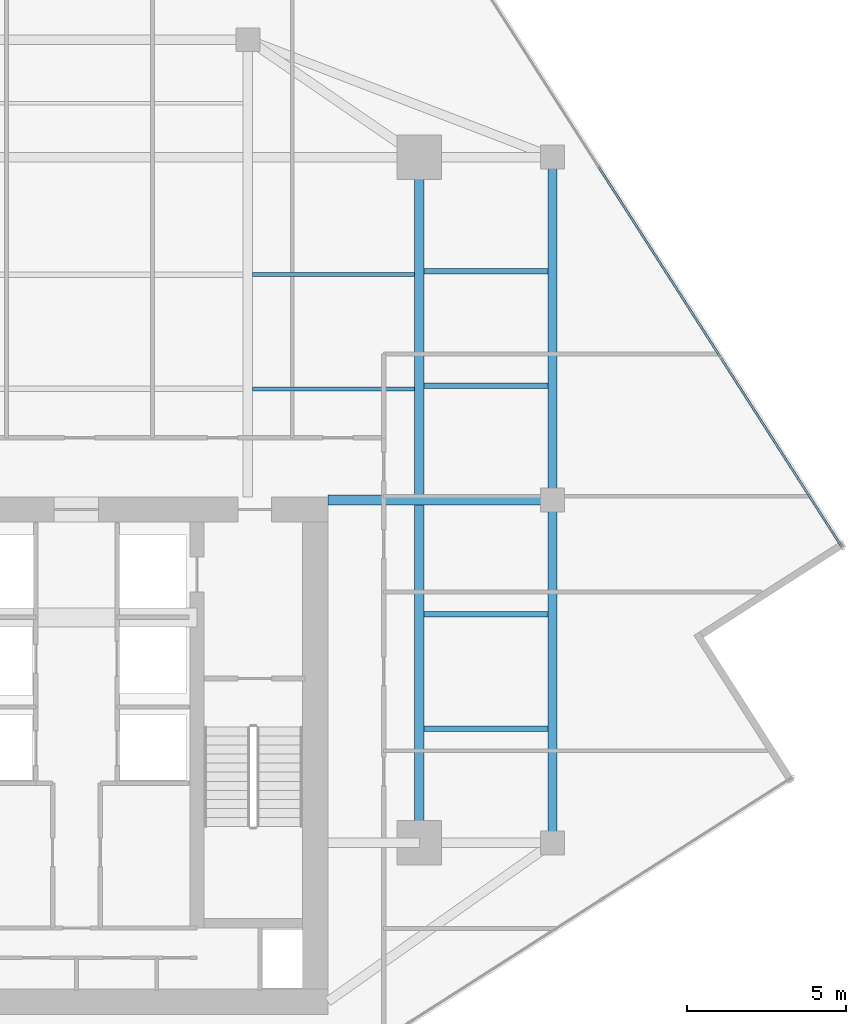
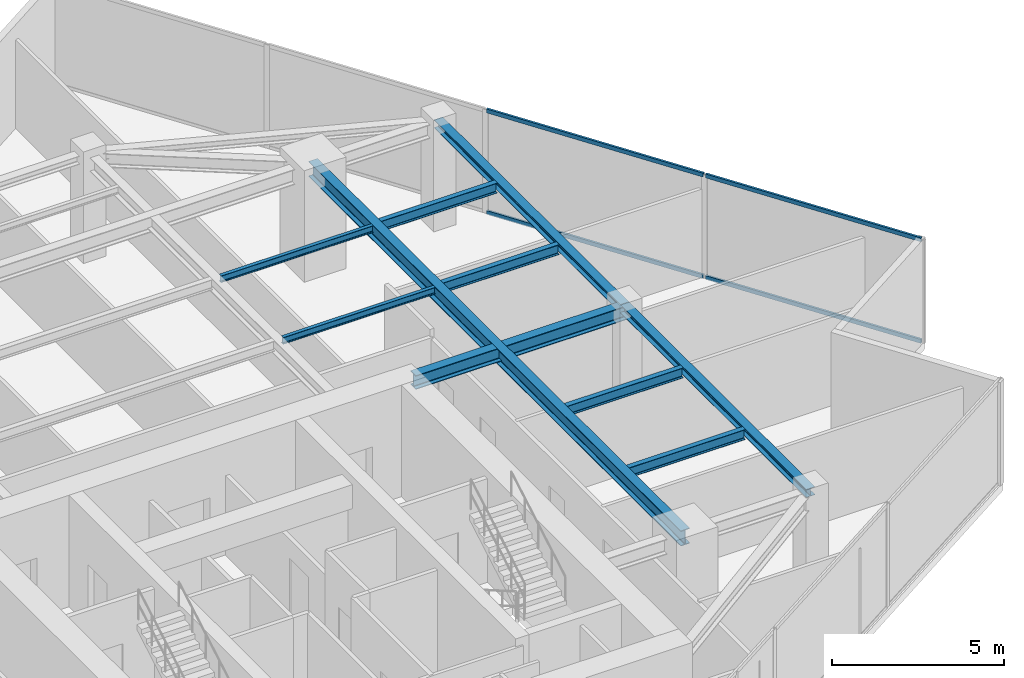
# One storey, part 9 of 20: 10 beams, 4 members, 1 element without a shape of its own.
"""IFC4 building model written with IfcOpenShell, lengths in metres."""

from ifc_helpers import new_model, si_unit, direction, frame, origin, origin_2d, place, context, subcontext, project, spatial, hollow_rectangle, i_section, extrude, source, transform, mapped, material, material_profile, profile_set, type_object, type_shapes, element, aggregate, save


model = new_model("IFC4")

# Units and contexts
model_context = context("Model", 3, precision=1e-05, world=origin(), true_north=direction((0.0, 1.0)))
body_context = subcontext(model_context, "Body", "Model", "MODEL_VIEW")
ifc_project = project(units=[si_unit("LENGTHUNIT", "METRE"), si_unit("AREAUNIT", "SQUARE_METRE"), si_unit("VOLUMEUNIT", "CUBIC_METRE"), si_unit("PLANEANGLEUNIT", "RADIAN"), si_unit("MASSUNIT", "GRAM", prefix="KILO")], contexts=[model_context])

# Site, building, storey
site_placement = place(None, origin())
site = spatial("IfcSite", under=ifc_project, at=site_placement, CompositionType="ELEMENT")
building_placement = place(site_placement, origin())
building = spatial("IfcBuilding", under=site, at=building_placement, Name="Krantzveldt Concourse Tower", CompositionType="ELEMENT")
storey_placement = place(building_placement, frame((0.0, 0.0, 287.14990234375)))
storey = spatial("IfcBuildingStorey", under=building, at=storey_placement, Name="L70", CompositionType="ELEMENT", Elevation=287.14990234375)

# Beams
ifc_material_1 = material(Name="Steel S355JR", Category="steel")
ifc_material_profile_1 = material_profile(ifc_material_1, i_section(OverallWidth=0.300048828125, OverallDepth=0.489990234375, WebThickness=0.011962890625, FlangeThickness=0.02294921875, FilletRadius=0.027099609375, at=origin_2d()), Name="Steel S355JR", Category="steel")
ifc_profile_set_1 = profile_set([ifc_material_profile_1], Name="Steel S355JR - HEA 500")
beam_type_1 = type_object("IfcBeamType", Name="BM-B-HEA500", PredefinedType="BEAM", material=ifc_profile_set_1)
shared_shape_1 = source(origin(), body_context, "Body", "SweptSolid", [
    extrude(i_section(OverallWidth=0.300048828125, OverallDepth=0.489990234375, WebThickness=0.011962890625, FlangeThickness=0.02294921875, FilletRadius=0.027099609375, at=origin_2d()), origin(), (0.0, 0.0, 1.0), 7.080078125),
])
type_shapes(beam_type_1, [shared_shape_1])
beam_1_placement = place(storey_placement, frame((43.919921875, 26.699951171875, 3.425048828125), z_axis=(1.0, 0.0, 0.0), x_axis=(0.0, 1.0, 0.0)))
element("IfcBeam", 1, at=beam_1_placement, inside=storey, type_object=beam_type_1, Name="L70 Tower Girder BG-CE2", PredefinedType="BEAM", context=body_context, shape_type="MappedRepresentation", body=[
    mapped(shared_shape_1, transform((0.0, 0.0, 0.0), x_axis=(1.0, 0.0, 0.0), y_axis=(0.0, 1.0, 0.0), z_axis=(0.0, 0.0, 1.0), scale=1.0)),
])
ifc_material_profile_2 = material_profile(ifc_material_1, i_section(OverallWidth=0.300048828125, OverallDepth=0.5400390625, WebThickness=0.012451171875, FlangeThickness=0.02392578125, FilletRadius=0.027099609375, at=origin_2d()), Name="Steel S355JR", Category="steel")
ifc_profile_set_2 = profile_set([ifc_material_profile_2], Name="Steel S355JR - HEA 550")
beam_type_2 = type_object("IfcBeamType", Name="BM-B-HEA550", PredefinedType="BEAM", material=ifc_profile_set_2)
shared_shape_2 = source(origin(), body_context, "Body", "SweptSolid", [
    extrude(i_section(OverallWidth=0.300048828125, OverallDepth=0.5400390625, WebThickness=0.012451171875, FlangeThickness=0.02392578125, FilletRadius=0.027099609375, at=origin_2d()), origin(), (0.0, 0.0, 1.0), 21.60009765625),
])
type_shapes(beam_type_2, [shared_shape_2])
beam_2_placement = place(storey_placement, frame((46.800048828125, 15.89990234375, 3.400146484375), z_axis=(0.0, 1.0, 0.0), x_axis=(-1.0, 0.0, 0.0)))
element("IfcBeam", 2, at=beam_2_placement, inside=storey, type_object=beam_type_2, Name="L70 Tower Girder BG-ME", PredefinedType="BEAM", context=body_context, shape_type="MappedRepresentation", body=[
    mapped(shared_shape_2, transform((0.0, 0.0, 0.0), x_axis=(1.0, 0.0, 0.0), y_axis=(0.0, 1.0, 0.0), z_axis=(0.0, 0.0, 1.0), scale=1.0)),
])
ifc_material_profile_3 = material_profile(ifc_material_1, i_section(OverallWidth=0.2900390625, OverallDepth=0.2900390625, WebThickness=0.008544921875, FlangeThickness=0.013916015625, FilletRadius=0.027099609375, at=origin_2d()), Name="Steel S355JR", Category="steel")
ifc_profile_set_3 = profile_set([ifc_material_profile_3], Name="Steel S355JR - HEA 300")
beam_type_3 = type_object("IfcBeamType", Name="BM-SP-HEA300", PredefinedType="SPANDREL", material=ifc_profile_set_3)
shared_shape_3 = source(origin(), body_context, "Body", "SweptSolid", [
    extrude(i_section(OverallWidth=0.2900390625, OverallDepth=0.2900390625, WebThickness=0.008544921875, FlangeThickness=0.013916015625, FilletRadius=0.027099609375, at=origin_2d()), origin(), (0.0, 0.0, 1.0), 10.800048828125),
])
type_shapes(beam_type_3, [shared_shape_3])
for number, where, z_axis, x_axis, name in (
    (3, (51.0, 37.5, 3.525146484375), (0.0, -1.0, 0.0), (1.0, 0.0, 0.0), "L70 Tower Girder SP-R06"),
    (4, (51.0, 26.699951171875, 3.525146484375), (0.0, -1.0, 0.0), (1.0, 0.0, 0.0), "L70 Tower Girder SP-R07"),
):
    element("IfcBeam", number, at=place(storey_placement, frame(where, z_axis=z_axis, x_axis=x_axis)), inside=storey, type_object=beam_type_3, Name=name, PredefinedType="SPANDREL", context=body_context, shape_type="MappedRepresentation", body=[
        mapped(shared_shape_3, transform((0.0, 0.0, 0.0), x_axis=(1.0, 0.0, 0.0), y_axis=(0.0, 1.0, 0.0), z_axis=(0.0, 0.0, 1.0), scale=1.0)),
    ])
ifc_material_profile_4 = material_profile(ifc_material_1, i_section(OverallWidth=0.1201171875, OverallDepth=0.239990234375, WebThickness=0.006103515625, FlangeThickness=0.009765625, FilletRadius=0.014892578125, at=origin_2d()), Name="Steel S355JR", Category="steel")
ifc_profile_set_4 = profile_set([ifc_material_profile_4], Name="Steel S355JR - IPE 240")
beam_type_4 = type_object("IfcBeamType", Name="BM-LN-IPE240", PredefinedType="LINTEL", material=ifc_profile_set_4)
shared_shape_4 = source(origin(), body_context, "Body", "SweptSolid", [
    extrude(i_section(OverallWidth=0.1201171875, OverallDepth=0.239990234375, WebThickness=0.006103515625, FlangeThickness=0.009765625, FilletRadius=0.014892578125, at=origin_2d()), origin(), (0.0, 0.0, 1.0), 5.099853515625),
])
type_shapes(beam_type_4, [shared_shape_4])
for number, where, z_axis, x_axis, name in (
    (5, (41.550048828125, 30.199951171875, 3.550048828125), (1.0, 0.0, 0.0), (0.0, 1.0, 0.0), "L70 Secondary Floor Joist JN-E1"),
    (6, (41.550048828125, 33.800048828125, 3.550048828125), (1.0, 0.0, 0.0), (0.0, 1.0, 0.0), "L70 Secondary Floor Joist JN-E2"),
):
    element("IfcBeam", number, at=place(storey_placement, frame(where, z_axis=z_axis, x_axis=x_axis)), inside=storey, type_object=beam_type_4, Name=name, PredefinedType="LINTEL", context=body_context, shape_type="MappedRepresentation", body=[
        mapped(shared_shape_4, transform((0.0, 0.0, 0.0), x_axis=(1.0, 0.0, 0.0), y_axis=(0.0, 1.0, 0.0), z_axis=(0.0, 0.0, 1.0), scale=1.0)),
    ])
ifc_material_profile_5 = material_profile(ifc_material_1, i_section(OverallWidth=0.169921875, OverallDepth=0.360107421875, WebThickness=0.008056640625, FlangeThickness=0.0126953125, FilletRadius=0.01806640625, at=origin_2d()), Name="Steel S355JR", Category="steel")
ifc_profile_set_5 = profile_set([ifc_material_profile_5], Name="Steel S355JR - IPE 360")
beam_type_5 = type_object("IfcBeamType", Name="BM-J-IPE360", PredefinedType="JOIST", material=ifc_profile_set_5)
shared_shape_5 = source(origin(), body_context, "Body", "SweptSolid", [
    extrude(i_section(OverallWidth=0.169921875, OverallDepth=0.360107421875, WebThickness=0.008056640625, FlangeThickness=0.0126953125, FilletRadius=0.01806640625, at=origin_2d()), origin(), (0.0, 0.0, 1.0), 3.900146484375),
])
type_shapes(beam_type_5, [shared_shape_5])
for number, where, z_axis, x_axis, name in (
    (7, (46.949951171875, 19.5, 3.489990234375), (1.0, 0.0, 0.0), (0.0, 1.0, 0.0), "L70 Secondary Floor Joist JE-1"),
    (8, (46.949951171875, 23.10009765625, 3.489990234375), (1.0, 0.0, 0.0), (0.0, 1.0, 0.0), "L70 Secondary Floor Joist JE-2"),
    (9, (46.949951171875, 30.300048828125, 3.489990234375), (1.0, 0.0, 0.0), (0.0, 1.0, 0.0), "L70 Secondary Floor Joist JE-3"),
    (10, (46.949951171875, 33.89990234375, 3.489990234375), (1.0, 0.0, 0.0), (0.0, 1.0, 0.0), "L70 Secondary Floor Joist JE-4"),
):
    element("IfcBeam", number, at=place(storey_placement, frame(where, z_axis=z_axis, x_axis=x_axis)), inside=storey, type_object=beam_type_5, Name=name, PredefinedType="JOIST", context=body_context, shape_type="MappedRepresentation", body=[
        mapped(shared_shape_5, transform((0.0, 0.0, 0.0), x_axis=(1.0, 0.0, 0.0), y_axis=(0.0, 1.0, 0.0), z_axis=(0.0, 0.0, 1.0), scale=1.0)),
    ])

# Curtain wall, members
ifc_material_2 = material(Name="Anodised aluminium 6063-T6", Category="aluminium")
curtain_wall_type = type_object("IfcCurtainWallType", Name="CW4", PredefinedType="USERDEFINED", material=ifc_material_2)
curtain_wall_placement = place(storey_placement, origin())
curtain_wall = element("IfcCurtainWall", 11, at=curtain_wall_placement, inside=storey, type_object=curtain_wall_type, Name="CW-L70-F10", ObjectType="UNITISED CURTAIN WALL", PredefinedType="USERDEFINED")
ifc_material_profile_6 = material_profile(ifc_material_2, hollow_rectangle(XDim=0.070068359375, YDim=0.139892578125, WallThickness=0.0048828125, at=origin_2d()), Name="Anodised aluminium 6063-T6", Category="aluminium")
ifc_profile_set_6 = profile_set([ifc_material_profile_6], Name="Anodised aluminium 6063-T6 - ALU-TRAN 140x70x5")
member_type = type_object("IfcMemberType", Name="CW-TRN-150", PredefinedType="USERDEFINED", material=ifc_profile_set_6)
shared_shape_6 = source(origin(), body_context, "Body", "SweptSolid", [
    extrude(hollow_rectangle(XDim=0.070068359375, YDim=0.139892578125, WallThickness=0.0048828125, at=origin_2d()), origin(), (0.0, 0.0, 1.0), 7.044921875),
])
member_1_placement = place(storey_placement, frame((60.103515625, 25.23388671875, 0.03515625), z_axis=(-0.539129416232, 0.842222935186, 0.0), x_axis=(-0.842222935186, -0.539129416232, 0.0)))
member_1 = element("IfcMember", 12, at=member_1_placement, type_object=member_type, Name="CW-Z56 transom 1.1", ObjectType="TRANSOM", PredefinedType="USERDEFINED", context=body_context, shape_type="MappedRepresentation", body=[
    mapped(shared_shape_6, transform((0.0, 0.0, 0.0), x_axis=(1.0, 0.0, 0.0), y_axis=(0.0, 1.0, 0.0), z_axis=(0.0, 0.0, 1.0), scale=1.0)),
])
member_2_placement = place(storey_placement, frame((60.103515625, 25.23388671875, 3.635009765625), z_axis=(-0.539129416232, 0.842222935186, 0.0), x_axis=(-0.842222935186, -0.539129416232, 0.0)))
member_2 = element("IfcMember", 13, at=member_2_placement, type_object=member_type, Name="CW-Z56 transom 1.2", ObjectType="TRANSOM", PredefinedType="USERDEFINED", context=body_context, shape_type="MappedRepresentation", body=[
    mapped(shared_shape_6, transform((0.0, 0.0, 0.0), x_axis=(1.0, 0.0, 0.0), y_axis=(0.0, 1.0, 0.0), z_axis=(0.0, 0.0, 1.0), scale=1.0)),
])
shared_shape_7 = source(origin(), body_context, "Body", "SweptSolid", [
    extrude(hollow_rectangle(XDim=0.070068359375, YDim=0.139892578125, WallThickness=0.0048828125, at=origin_2d()), origin(), (0.0, 0.0, 1.0), 7.080078125),
])
type_shapes(member_type, [shared_shape_6, shared_shape_7])
member_3_placement = place(storey_placement, frame((56.267578125, 31.226318359375, 0.03515625), z_axis=(-0.539142738786, 0.842214406915, 0.0), x_axis=(-0.842214406915, -0.539142738786, 0.0)))
member_3 = element("IfcMember", 14, at=member_3_placement, type_object=member_type, Name="CW-Z56 transom 2.1", ObjectType="TRANSOM", PredefinedType="USERDEFINED", context=body_context, shape_type="MappedRepresentation", body=[
    mapped(shared_shape_7, transform((0.0, 0.0, 0.0), x_axis=(1.0, 0.0, 0.0), y_axis=(0.0, 1.0, 0.0), z_axis=(0.0, 0.0, 1.0), scale=1.0)),
])
member_4_placement = place(storey_placement, frame((56.267578125, 31.226318359375, 3.635009765625), z_axis=(-0.539142738786, 0.842214406915, 0.0), x_axis=(-0.842214406915, -0.539142738786, 0.0)))
member_4 = element("IfcMember", 15, at=member_4_placement, type_object=member_type, Name="CW-Z56 transom 2.2", ObjectType="TRANSOM", PredefinedType="USERDEFINED", context=body_context, shape_type="MappedRepresentation", body=[
    mapped(shared_shape_7, transform((0.0, 0.0, 0.0), x_axis=(1.0, 0.0, 0.0), y_axis=(0.0, 1.0, 0.0), z_axis=(0.0, 0.0, 1.0), scale=1.0)),
])
aggregate(curtain_wall, [member_1, member_2, member_3, member_4])

save(model, "model.ifc")
